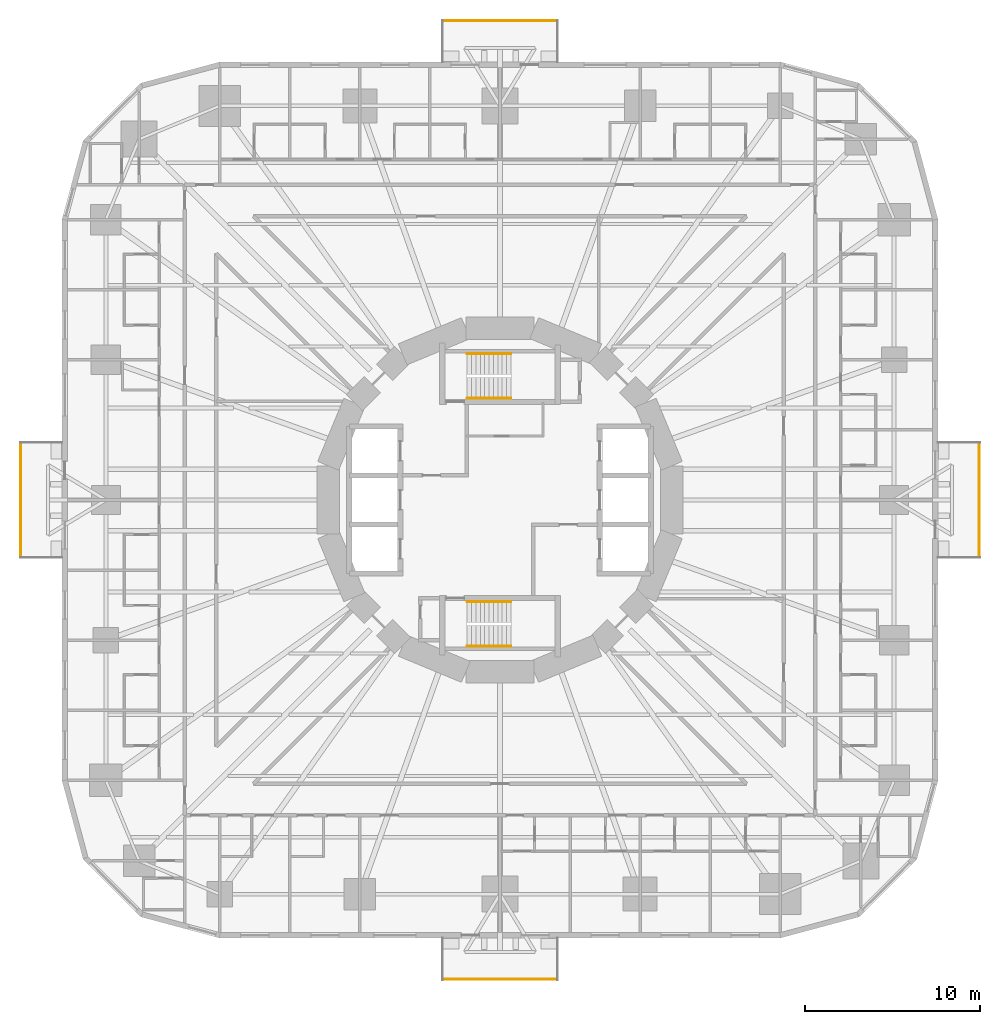
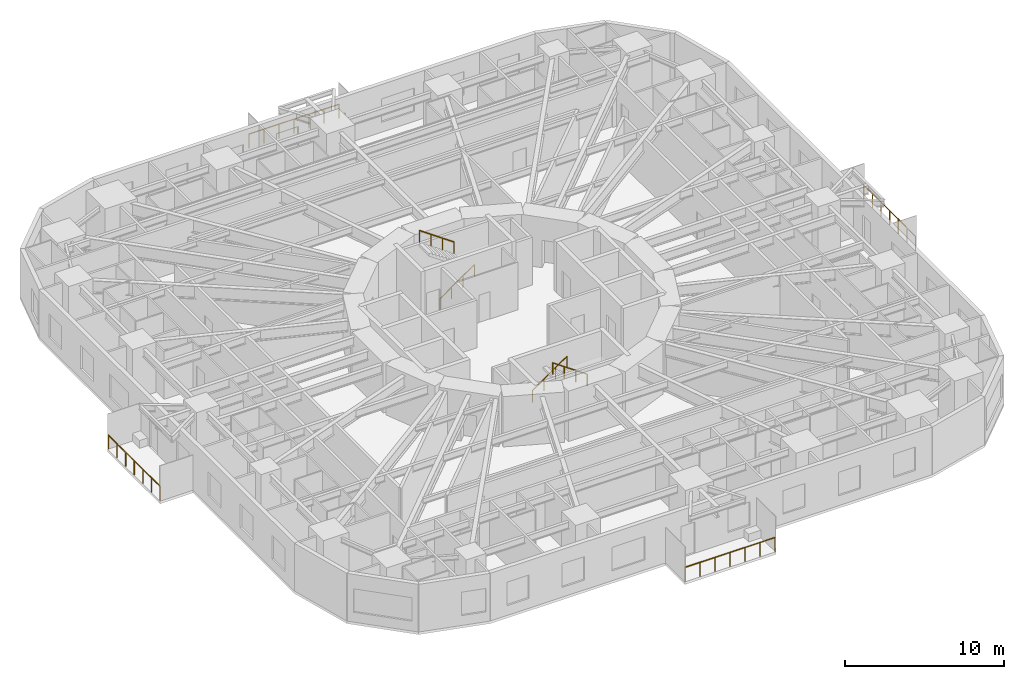
# One storey, part 13 of 14: 8 railings.
"""IFC4 building model written with IfcOpenShell, lengths in metres."""

from ifc_helpers import new_model, si_unit, direction, frame, origin, origin_2d, place, context, subcontext, project, spatial, circle, extrude, material, type_object, element, save


model = new_model("IFC4")

# Units and contexts
model_context = context("Model", 3, precision=1e-05, world=origin(), true_north=direction((0.0, 1.0)))
body_context = subcontext(model_context, "Body", "Model", "MODEL_VIEW")
ifc_project = project(units=[si_unit("LENGTHUNIT", "METRE"), si_unit("AREAUNIT", "SQUARE_METRE"), si_unit("VOLUMEUNIT", "CUBIC_METRE"), si_unit("PLANEANGLEUNIT", "RADIAN"), si_unit("MASSUNIT", "GRAM", prefix="KILO")], contexts=[model_context])

# Site, building, storey
site_placement = place(None, origin())
site = spatial("IfcSite", under=ifc_project, at=site_placement, CompositionType="ELEMENT")
building_placement = place(site_placement, origin())
building = spatial("IfcBuilding", under=site, at=building_placement, Name="Nakasero Lantern House", CompositionType="ELEMENT")
storey_placement = place(building_placement, frame((0.0, 0.0, 35.25)))
storey = spatial("IfcBuildingStorey", under=building, at=storey_placement, Name="L08", CompositionType="ELEMENT", Elevation=35.25)

# Railings
ifc_material_1 = material(Name="Aluminium 6063-T6", Category="aluminium")
railing_type_1 = type_object("IfcRailingType", Name="Balcony guard 1100", PredefinedType="BALUSTRADE", material=ifc_material_1)
railing_1_placement = place(storey_placement, frame((27.35009765625, -3.260009765625, 0.0)))
element("IfcRailing", 1, at=railing_1_placement, inside=storey, type_object=railing_type_1, Name="Balcony guard L08 BAL0", PredefinedType="BALUSTRADE", context=body_context, shape_type="SweptSolid", body=[
    extrude(circle(Radius=0.02392578125, at=origin_2d()), frame((0.0, 0.0, 1.076171875), z_axis=(0.0, 1.0, 0.0), x_axis=(-1.0, 0.0, 0.0)), (0.0, 0.0, 1.0), 6.52001953125),
    extrude(circle(Radius=0.02099609375, at=origin_2d()), origin(), (0.0, 0.0, 1.0), 1.052001953125),
    extrude(circle(Radius=0.02099609375, at=origin_2d()), frame((0.0, 1.086669921875, 0.0)), (0.0, 0.0, 1.0), 1.052001953125),
    extrude(circle(Radius=0.02099609375, at=origin_2d()), frame((0.0, 2.17333984375, 0.0)), (0.0, 0.0, 1.0), 1.052001953125),
    extrude(circle(Radius=0.02099609375, at=origin_2d()), frame((0.0, 3.260009765625, 0.0)), (0.0, 0.0, 1.0), 1.052001953125),
    extrude(circle(Radius=0.02099609375, at=origin_2d()), frame((0.0, 4.3466796875, 0.0)), (0.0, 0.0, 1.0), 1.052001953125),
    extrude(circle(Radius=0.02099609375, at=origin_2d()), frame((0.0, 5.433349609375, 0.0)), (0.0, 0.0, 1.0), 1.052001953125),
    extrude(circle(Radius=0.02099609375, at=origin_2d()), frame((0.0, 6.52001953125, 0.0)), (0.0, 0.0, 1.0), 1.052001953125),
])
railing_2_placement = place(storey_placement, frame((3.260009765625, 27.35009765625, 0.0)))
element("IfcRailing", 2, at=railing_2_placement, inside=storey, type_object=railing_type_1, Name="Balcony guard L08 BAL1", PredefinedType="BALUSTRADE", context=body_context, shape_type="SweptSolid", body=[
    extrude(circle(Radius=0.02392578125, at=origin_2d()), frame((0.0, 0.0, 1.076171875), z_axis=(-1.0, 0.0, 0.0), x_axis=(0.0, -1.0, 0.0)), (0.0, 0.0, 1.0), 6.52001953125),
    extrude(circle(Radius=0.02099609375, at=origin_2d()), origin(), (0.0, 0.0, 1.0), 1.052001953125),
    extrude(circle(Radius=0.02099609375, at=origin_2d()), frame((-1.086669921875, 0.0, 0.0)), (0.0, 0.0, 1.0), 1.052001953125),
    extrude(circle(Radius=0.02099609375, at=origin_2d()), frame((-2.17333984375, 0.0, 0.0)), (0.0, 0.0, 1.0), 1.052001953125),
    extrude(circle(Radius=0.02099609375, at=origin_2d()), frame((-3.260009765625, 0.0, 0.0)), (0.0, 0.0, 1.0), 1.052001953125),
    extrude(circle(Radius=0.02099609375, at=origin_2d()), frame((-4.3466796875, 0.0, 0.0)), (0.0, 0.0, 1.0), 1.052001953125),
    extrude(circle(Radius=0.02099609375, at=origin_2d()), frame((-5.433349609375, 0.0, 0.0)), (0.0, 0.0, 1.0), 1.052001953125),
    extrude(circle(Radius=0.02099609375, at=origin_2d()), frame((-6.52001953125, 0.0, 0.0)), (0.0, 0.0, 1.0), 1.052001953125),
])
railing_3_placement = place(storey_placement, frame((-27.35009765625, 3.260009765625, 0.0)))
element("IfcRailing", 3, at=railing_3_placement, inside=storey, type_object=railing_type_1, Name="Balcony guard L08 BAL2", PredefinedType="BALUSTRADE", context=body_context, shape_type="SweptSolid", body=[
    extrude(circle(Radius=0.02392578125, at=origin_2d()), frame((0.0, 0.0, 1.076171875), z_axis=(0.0, -1.0, 0.0), x_axis=(1.0, 0.0, 0.0)), (0.0, 0.0, 1.0), 6.52001953125),
    extrude(circle(Radius=0.02099609375, at=origin_2d()), origin(), (0.0, 0.0, 1.0), 1.052001953125),
    extrude(circle(Radius=0.02099609375, at=origin_2d()), frame((0.0, -1.086669921875, 0.0)), (0.0, 0.0, 1.0), 1.052001953125),
    extrude(circle(Radius=0.02099609375, at=origin_2d()), frame((0.0, -2.17333984375, 0.0)), (0.0, 0.0, 1.0), 1.052001953125),
    extrude(circle(Radius=0.02099609375, at=origin_2d()), frame((0.0, -3.260009765625, 0.0)), (0.0, 0.0, 1.0), 1.052001953125),
    extrude(circle(Radius=0.02099609375, at=origin_2d()), frame((0.0, -4.3466796875, 0.0)), (0.0, 0.0, 1.0), 1.052001953125),
    extrude(circle(Radius=0.02099609375, at=origin_2d()), frame((0.0, -5.433349609375, 0.0)), (0.0, 0.0, 1.0), 1.052001953125),
    extrude(circle(Radius=0.02099609375, at=origin_2d()), frame((0.0, -6.52001953125, 0.0)), (0.0, 0.0, 1.0), 1.052001953125),
])
railing_4_placement = place(storey_placement, frame((-3.260009765625, -27.35009765625, 0.0)))
element("IfcRailing", 4, at=railing_4_placement, inside=storey, type_object=railing_type_1, Name="Balcony guard L08 BAL3", PredefinedType="BALUSTRADE", context=body_context, shape_type="SweptSolid", body=[
    extrude(circle(Radius=0.02392578125, at=origin_2d()), frame((0.0, 0.0, 1.076171875), z_axis=(1.0, 0.0, 0.0), x_axis=(0.0, 1.0, 0.0)), (0.0, 0.0, 1.0), 6.52001953125),
    extrude(circle(Radius=0.02099609375, at=origin_2d()), origin(), (0.0, 0.0, 1.0), 1.052001953125),
    extrude(circle(Radius=0.02099609375, at=origin_2d()), frame((1.086669921875, 0.0, 0.0)), (0.0, 0.0, 1.0), 1.052001953125),
    extrude(circle(Radius=0.02099609375, at=origin_2d()), frame((2.17333984375, 0.0, 0.0)), (0.0, 0.0, 1.0), 1.052001953125),
    extrude(circle(Radius=0.02099609375, at=origin_2d()), frame((3.260009765625, 0.0, 0.0)), (0.0, 0.0, 1.0), 1.052001953125),
    extrude(circle(Radius=0.02099609375, at=origin_2d()), frame((4.3466796875, 0.0, 0.0)), (0.0, 0.0, 1.0), 1.052001953125),
    extrude(circle(Radius=0.02099609375, at=origin_2d()), frame((5.433349609375, 0.0, 0.0)), (0.0, 0.0, 1.0), 1.052001953125),
    extrude(circle(Radius=0.02099609375, at=origin_2d()), frame((6.52001953125, 0.0, 0.0)), (0.0, 0.0, 1.0), 1.052001953125),
])
ifc_material_2 = material(Name="Stainless steel 316", Category="steel")
railing_type_2 = type_object("IfcRailingType", Name="Stair handrail 900", PredefinedType="HANDRAIL", material=ifc_material_2)
railing_5_placement = place(storey_placement, frame((-1.875, 5.800048828125, 0.175048828125)))
element("IfcRailing", 5, at=railing_5_placement, inside=storey, type_object=railing_type_2, Name="Handrail ST1 L08 flight 1", PredefinedType="HANDRAIL", context=body_context, shape_type="SweptSolid", body=[
    extrude(circle(Radius=0.02392578125, at=origin_2d()), frame((0.0, 0.0, 0.8759765625), z_axis=(0.819231920519, 0.0, 0.573462344363), x_axis=(0.0, 1.0, 0.0)), (0.0, 0.0, 1.0), 3.0517578125),
    extrude(circle(Radius=0.02099609375, at=origin_2d()), origin(), (0.0, 0.0, 1.0), 0.851806640625),
    extrude(circle(Radius=0.02099609375, at=origin_2d()), frame((0.833251953125, 0.0, 0.583251953125)), (0.0, 0.0, 1.0), 0.851806640625),
    extrude(circle(Radius=0.02099609375, at=origin_2d()), frame((1.666748046875, 0.0, 1.166748046875)), (0.0, 0.0, 1.0), 0.851806640625),
    extrude(circle(Radius=0.02099609375, at=origin_2d()), frame((2.5, 0.0, 1.75)), (0.0, 0.0, 1.0), 0.851806640625),
])
railing_6_placement = place(storey_placement, frame((0.625, 8.35009765625, 2.10009765625)))
element("IfcRailing", 6, at=railing_6_placement, inside=storey, type_object=railing_type_2, Name="Handrail ST1 L08 flight 2", PredefinedType="HANDRAIL", context=body_context, shape_type="SweptSolid", body=[
    extrude(circle(Radius=0.02392578125, at=origin_2d()), frame((0.0, 0.0, 0.8759765625), z_axis=(-0.819231920519, 0.0, 0.573462344363), x_axis=(0.0, -1.0, 0.0)), (0.0, 0.0, 1.0), 3.0517578125),
    extrude(circle(Radius=0.02099609375, at=origin_2d()), origin(), (0.0, 0.0, 1.0), 0.851806640625),
    extrude(circle(Radius=0.02099609375, at=origin_2d()), frame((-0.833251953125, 0.0, 0.583251953125)), (0.0, 0.0, 1.0), 0.851806640625),
    extrude(circle(Radius=0.02099609375, at=origin_2d()), frame((-1.666748046875, 0.0, 1.166748046875)), (0.0, 0.0, 1.0), 0.851806640625),
    extrude(circle(Radius=0.02099609375, at=origin_2d()), frame((-2.5, 0.0, 1.75)), (0.0, 0.0, 1.0), 0.851806640625),
])
railing_7_placement = place(storey_placement, frame((-1.875, -5.800048828125, 0.175048828125)))
element("IfcRailing", 7, at=railing_7_placement, inside=storey, type_object=railing_type_2, Name="Handrail ST2 L08 flight 1", PredefinedType="HANDRAIL", context=body_context, shape_type="SweptSolid", body=[
    extrude(circle(Radius=0.02392578125, at=origin_2d()), frame((0.0, 0.0, 0.8759765625), z_axis=(0.819231920519, 0.0, 0.573462344363), x_axis=(0.0, 1.0, 0.0)), (0.0, 0.0, 1.0), 3.0517578125),
    extrude(circle(Radius=0.02099609375, at=origin_2d()), origin(), (0.0, 0.0, 1.0), 0.851806640625),
    extrude(circle(Radius=0.02099609375, at=origin_2d()), frame((0.833251953125, 0.0, 0.583251953125)), (0.0, 0.0, 1.0), 0.851806640625),
    extrude(circle(Radius=0.02099609375, at=origin_2d()), frame((1.666748046875, 0.0, 1.166748046875)), (0.0, 0.0, 1.0), 0.851806640625),
    extrude(circle(Radius=0.02099609375, at=origin_2d()), frame((2.5, 0.0, 1.75)), (0.0, 0.0, 1.0), 0.851806640625),
])
railing_8_placement = place(storey_placement, frame((0.625, -8.35009765625, 2.10009765625)))
element("IfcRailing", 8, at=railing_8_placement, inside=storey, type_object=railing_type_2, Name="Handrail ST2 L08 flight 2", PredefinedType="HANDRAIL", context=body_context, shape_type="SweptSolid", body=[
    extrude(circle(Radius=0.02392578125, at=origin_2d()), frame((0.0, 0.0, 0.8759765625), z_axis=(-0.819231920519, 0.0, 0.573462344363), x_axis=(0.0, -1.0, 0.0)), (0.0, 0.0, 1.0), 3.0517578125),
    extrude(circle(Radius=0.02099609375, at=origin_2d()), origin(), (0.0, 0.0, 1.0), 0.851806640625),
    extrude(circle(Radius=0.02099609375, at=origin_2d()), frame((-0.833251953125, 0.0, 0.583251953125)), (0.0, 0.0, 1.0), 0.851806640625),
    extrude(circle(Radius=0.02099609375, at=origin_2d()), frame((-1.666748046875, 0.0, 1.166748046875)), (0.0, 0.0, 1.0), 0.851806640625),
    extrude(circle(Radius=0.02099609375, at=origin_2d()), frame((-2.5, 0.0, 1.75)), (0.0, 0.0, 1.0), 0.851806640625),
])

save(model, "model.ifc")
